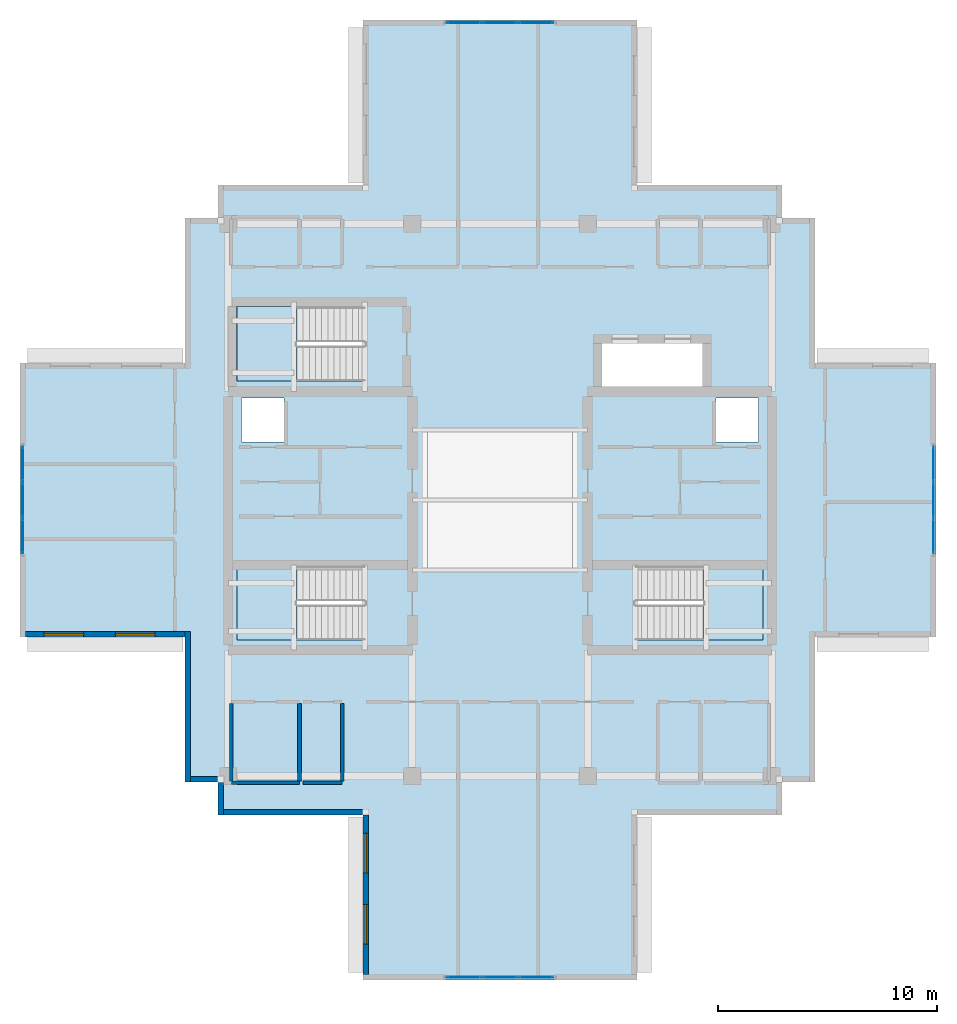
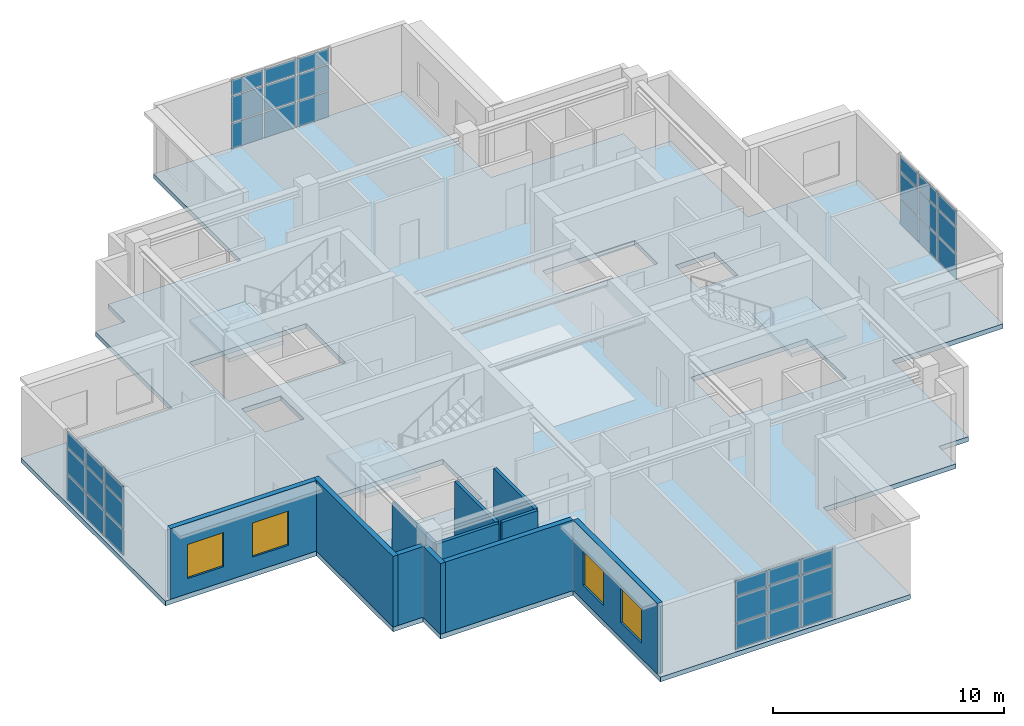
# One storey, part 9 of 16: 36 plates, 11 walls, 4 slabs, 4 windows, 4 openings, 7 elements without a shape of their own.
"""IFC4 building model written with IfcOpenShell, lengths in metres."""

import ifcopenshell
import ifcopenshell.guid

model = None  # the IFC model being written
_history = None  # IfcOwnerHistory: only IFC2X3 demands one
_inside = {}  # id of a spatial element -> (the spatial element, [elements in it])
_under = {}  # id of a project, library or spatial element -> (it, [spatial elements below it])
_declared = {}  # id of a project -> (the project, [libraries it declares])
_typed = {}  # id of a type object -> (the type object, [elements of that type])
_made_of = {}  # id of a material, layer set ... -> (it, [elements and type objects made of it])


def new_model(schema):
    """Start an empty IFC model of exactly this schema.

    Asked for "IFC4X3", IfcOpenShell would pick the latest addendum, in which some entities
    have other attributes; the version numbers below select the first issue.
    IFC2X3 requires an IfcOwnerHistory on every rooted entity: one is made here for all.
    """
    global model, _history
    if schema == "IFC4X3":
        model = ifcopenshell.file(schema_version=(4, 3, 0, 0))
    else:
        model = ifcopenshell.file(schema=schema)
    _inside.clear()
    _under.clear()
    _declared.clear()
    _typed.clear()
    _made_of.clear()
    _history = None
    if model.schema == "IFC2X3":
        org = make("IfcOrganization", Name="unknown")
        user = make(
            "IfcPersonAndOrganization",
            ThePerson=make("IfcPerson", FamilyName="unknown"),
            TheOrganization=org,
        )
        app = make(
            "IfcApplication",
            ApplicationDeveloper=org,
            Version="unknown",
            ApplicationFullName="unknown",
            ApplicationIdentifier="unknown",
        )
        _history = make(
            "IfcOwnerHistory",
            OwningUser=user,
            OwningApplication=app,
            ChangeAction="ADDED",
            CreationDate=0,
        )
    return model


def make(cls, **values):
    """One entity of the class cls with the attributes given. An attribute that is None is left unset."""
    return model.create_entity(
        cls, **{name: value for name, value in values.items() if value is not None}
    )


def rooted(cls, **values):
    """An entity with a GlobalId (a new one), such as an element, a storey or a relation."""
    return make(cls, GlobalId=ifcopenshell.guid.new(), OwnerHistory=_history, **values)


def si_unit(unit_type, name, prefix=None):
    """IfcSIUnit, for example si_unit("LENGTHUNIT", "METRE", prefix="MILLI")."""
    return make("IfcSIUnit", UnitType=unit_type, Prefix=prefix, Name=name)


def assignment(units):
    """IfcUnitAssignment: the units of a project."""
    return None if units is None else make("IfcUnitAssignment", Units=units)


def point(xyz):
    """IfcCartesianPoint."""
    return None if xyz is None else make("IfcCartesianPoint", Coordinates=xyz)


def direction(xyz):
    """IfcDirection."""
    return None if xyz is None else make("IfcDirection", DirectionRatios=xyz)


def frame(location, z_axis=None, x_axis=None):
    """IfcAxis2Placement3D, a coordinate frame: its origin and axes. An axis left out is left unset."""
    return make(
        "IfcAxis2Placement3D",
        Location=point(location),
        Axis=direction(z_axis),
        RefDirection=direction(x_axis),
    )


def frame_2d(location, x_axis=None):
    """IfcAxis2Placement2D, a coordinate frame in the plane: its origin and x axis."""
    return make(
        "IfcAxis2Placement2D", Location=point(location), RefDirection=direction(x_axis)
    )


def origin():
    """The frame at (0, 0, 0) with its axes left unset."""
    return frame((0.0, 0.0, 0.0))


def origin_2d():
    """The frame at (0, 0) in the plane with its x axis left unset."""
    return frame_2d((0.0, 0.0))


def place(relative_to, where):
    """IfcLocalPlacement: puts the frame where relative to a parent placement (None: the world)."""
    return make(
        "IfcLocalPlacement", PlacementRelTo=relative_to, RelativePlacement=where
    )


def context(
    kind, dimensions, precision=None, world=None, true_north=None, identifier=None
):
    """IfcGeometricRepresentationContext, for example the 3D "Model" context."""
    return make(
        "IfcGeometricRepresentationContext",
        ContextIdentifier=identifier,
        ContextType=kind,
        CoordinateSpaceDimension=dimensions,
        Precision=precision,
        WorldCoordinateSystem=world,
        TrueNorth=true_north,
    )


def subcontext(parent, identifier, kind, view, scale=None):
    """IfcGeometricRepresentationSubContext, for example "Body" below "Model"."""
    return make(
        "IfcGeometricRepresentationSubContext",
        ContextIdentifier=identifier,
        ContextType=kind,
        ParentContext=parent,
        TargetScale=scale,
        TargetView=view,
    )


def project(units=None, contexts=None):
    """IfcProject with its units and contexts."""
    return rooted(
        "IfcProject",
        Name="project",
        RepresentationContexts=contexts,
        UnitsInContext=assignment(units),
    )


def spatial(cls, under=None, at=None, **own):
    """A site, building, storey or space (cls), placed at a placement, below another one or the project."""
    s = rooted(cls, ObjectPlacement=at, **own)
    if under is not None:
        _under.setdefault(under.id(), (under, []))[1].append(s)
    return s


def polyline(points):
    """IfcPolyline through the points."""
    return make("IfcPolyline", Points=[point(p) for p in points])


def profile(cls, at=None, kind="AREA", **sizes):
    """A parametric profile (cls). Its sizes go by their IFC names, for example OverallWidth=200.0."""
    return make(cls, ProfileType=kind, Position=at, **sizes)


def rectangle(**sizes):
    """IfcRectangleProfileDef."""
    return profile("IfcRectangleProfileDef", **sizes)


def outline(outer, holes=None, kind="AREA"):
    """IfcArbitraryClosedProfileDef: a profile drawn as a closed curve; with holes, ...WithVoids."""
    if holes is None:
        return make("IfcArbitraryClosedProfileDef", ProfileType=kind, OuterCurve=outer)
    return make(
        "IfcArbitraryProfileDefWithVoids",
        ProfileType=kind,
        OuterCurve=outer,
        InnerCurves=holes,
    )


def extrude(swept, where, along, depth):
    """IfcExtrudedAreaSolid: the profile swept, set in the frame where, extruded along a direction by depth."""
    return make(
        "IfcExtrudedAreaSolid",
        SweptArea=swept,
        Position=where,
        ExtrudedDirection=direction(along),
        Depth=depth,
    )


def shape(context_of_items, identifier, shape_type, items):
    """IfcShapeRepresentation: the items that make up one representation, for example the "Body"."""
    return make(
        "IfcShapeRepresentation",
        ContextOfItems=context_of_items,
        RepresentationIdentifier=identifier,
        RepresentationType=shape_type,
        Items=items,
    )


def material(Name=None, Category=None):
    """IfcMaterial."""
    return make("IfcMaterial", Name=Name, Category=Category)


def layer(
    of_material, thickness, ventilated=None, Name=None, Category=None, Priority=None
):
    """IfcMaterialLayer: one layer of a wall or slab, of a material (None: an air gap)."""
    return make(
        "IfcMaterialLayer",
        Material=of_material,
        LayerThickness=thickness,
        IsVentilated=ventilated,
        Name=Name,
        Category=Category,
        Priority=Priority,
    )


def layer_set(layers, Name=None):
    """IfcMaterialLayerSet."""
    return make("IfcMaterialLayerSet", MaterialLayers=layers, LayerSetName=Name)


def made_of(thing, what):
    """Note that an element or type object is made of a material, layer set ...; save() writes the relation."""
    if what is not None:
        _made_of.setdefault(what.id(), (what, []))[1].append(thing)
    return thing


def type_object(cls, material=None, **own):
    """A type object (cls), such as IfcWallType, which elements share."""
    return made_of(rooted(cls, **own), material)


def element(
    cls,
    number,
    at=None,
    inside=None,
    cuts=None,
    type_object=None,
    material=None,
    context=None,
    identifier="Body",
    shape_type=None,
    held_by="IfcProductDefinitionShape",
    body=None,
    shapes=None,
    **own,
):
    """One element of the class cls, such as IfcWall. Its Tag is "e" and its number.

    at: its placement. inside: the storey or other place that contains it. cuts: it is an
    opening in that element (IfcRelVoidsElement). A single representation is given by context,
    identifier, shape_type and body (its items); several are given by shapes. held_by: the class
    of the entity that holds the representations. save() writes the other relations.
    """
    e = rooted(cls, Tag="e%d" % number, ObjectPlacement=at, **own)
    if body is not None:
        shapes = [shape(context, identifier, shape_type, body)]
    if shapes is not None:
        e.Representation = make(held_by, Representations=shapes)
    if inside is not None:
        _inside.setdefault(inside.id(), (inside, []))[1].append(e)
    if cuts is not None:
        rooted(
            "IfcRelVoidsElement", RelatingBuildingElement=cuts, RelatedOpeningElement=e
        )
    if type_object is not None:
        _typed.setdefault(type_object.id(), (type_object, []))[1].append(e)
    return made_of(e, material)


def fill(opening, filler):
    """IfcRelFillsElement: the door or window that sits in an opening."""
    return rooted(
        "IfcRelFillsElement",
        RelatingOpeningElement=opening,
        RelatedBuildingElement=filler,
    )


def aggregate(whole, parts):
    """IfcRelAggregates: a whole, such as a stair, and the parts it consists of."""
    return rooted("IfcRelAggregates", RelatingObject=whole, RelatedObjects=parts)


def save(model, path):
    """Write the relations noted so far, then the file.

    IfcRelAggregates (storeys below a building ...), IfcRelContainedInSpatialStructure (elements
    in a storey), IfcRelDefinesByType, IfcRelAssociatesMaterial and IfcRelDeclares: one each for
    every whole, place, type object, material and project.
    """
    for whole, parts in _under.values():
        aggregate(whole, parts)
    for where, things in _inside.values():
        rooted(
            "IfcRelContainedInSpatialStructure",
            RelatedElements=things,
            RelatingStructure=where,
        )
    for kind, things in _typed.values():
        rooted("IfcRelDefinesByType", RelatedObjects=things, RelatingType=kind)
    for what, things in _made_of.values():
        rooted("IfcRelAssociatesMaterial", RelatedObjects=things, RelatingMaterial=what)
    for by, libraries in _declared.values():
        rooted("IfcRelDeclares", RelatingContext=by, RelatedDefinitions=libraries)
    model.write(path)


model = new_model("IFC4")

# Units and contexts
model_context = context("Model", 3, precision=1e-05, world=origin(), true_north=direction((0.0, 1.0)))
body_context = subcontext(model_context, "Body", "Model", "MODEL_VIEW")
ifc_project = project(units=[si_unit("LENGTHUNIT", "METRE"), si_unit("AREAUNIT", "SQUARE_METRE"), si_unit("VOLUMEUNIT", "CUBIC_METRE"), si_unit("PLANEANGLEUNIT", "RADIAN"), si_unit("MASSUNIT", "GRAM", prefix="KILO")], contexts=[model_context])

# Site, building, storey
site_placement = place(None, origin())
site = spatial("IfcSite", under=ifc_project, at=site_placement, CompositionType="ELEMENT")
building_placement = place(site_placement, origin())
building = spatial("IfcBuilding", under=site, at=building_placement, Name="Qingluan Cross Belvedere", CompositionType="ELEMENT")
storey_placement = place(building_placement, frame((0.0, 0.0, 308.39990234375)))
storey = spatial("IfcBuildingStorey", under=building, at=storey_placement, Name="L76", CompositionType="ELEMENT", Elevation=308.39990234375)

# Curtain wall, plates
ifc_material_1 = material(Name="Thermally broken aluminium and Low-E glass", Category="aluminium")
ifc_layer_1 = layer(ifc_material_1, 0.199951171875, Name="ObservationCW_SkyRestaurant")
ifc_layer_set_1 = layer_set([ifc_layer_1], Name="Thermally broken aluminium and Low-E glass")
curtain_wall_type = type_object("IfcCurtainWallType", Name="ObservationCW_SkyRestaurant", PredefinedType="USERDEFINED", material=ifc_layer_set_1)
curtain_wall_1_placement = place(storey_placement, origin())
curtain_wall_1 = element("IfcCurtainWall", 1, at=curtain_wall_1_placement, inside=storey, type_object=curtain_wall_type, Name="ObservationCW_SkyRestaurant run env:cw:L76:E", ObjectType="OBSERVATION GLAZING WALL", PredefinedType="USERDEFINED")
ifc_material_2 = material(Name="Triple-silver Low-E insulated glass", Category="glass")
ifc_layer_2 = layer(ifc_material_2, 0.035888671875, Name="CWVisionPanel_36")
ifc_layer_set_2 = layer_set([ifc_layer_2], Name="Triple-silver Low-E insulated glass")
plate_type = type_object("IfcPlateType", Name="CWVisionPanel_36", PredefinedType="CURTAIN_PANEL", material=ifc_layer_set_2)
plate_1_placement = place(storey_placement, frame((19.780029296875, -1.650390625, 0.06005859375), z_axis=(0.0, 0.0, 1.0), x_axis=(0.0, 1.0, 0.0)))
plate_1 = element("IfcPlate", 2, at=plate_1_placement, type_object=plate_type, Name="CW-C2 panel 1.1", PredefinedType="CURTAIN_PANEL", context=body_context, shape_type="SweptSolid", body=[
    extrude(rectangle(XDim=1.575439453125, YDim=0.028076171875, at=origin_2d()), origin(), (0.0, 0.0, 1.0), 1.326904296875),
])
plate_2_placement = place(storey_placement, frame((19.780029296875, -1.650390625, 1.447021484375), z_axis=(0.0, 0.0, 1.0), x_axis=(0.0, 1.0, 0.0)))
plate_2 = element("IfcPlate", 3, at=plate_2_placement, type_object=plate_type, Name="CW-C2 panel 1.2", PredefinedType="CURTAIN_PANEL", context=body_context, shape_type="SweptSolid", body=[
    extrude(rectangle(XDim=1.575439453125, YDim=0.028076171875, at=origin_2d()), origin(), (0.0, 0.0, 1.0), 1.35791015625),
])
plate_3_placement = place(storey_placement, frame((19.780029296875, -1.650390625, 2.865234375), z_axis=(0.0, 0.0, 1.0), x_axis=(0.0, 1.0, 0.0)))
plate_3 = element("IfcPlate", 4, at=plate_3_placement, type_object=plate_type, Name="CW-C2 panel 1.3", PredefinedType="CURTAIN_PANEL", context=body_context, shape_type="SweptSolid", body=[
    extrude(rectangle(XDim=1.575439453125, YDim=0.028076171875, at=origin_2d()), origin(), (0.0, 0.0, 1.0), 0.804931640625),
])
plate_4_placement = place(storey_placement, frame((19.780029296875, 0.0, 0.06005859375), z_axis=(0.0, 0.0, 1.0), x_axis=(0.0, 1.0, 0.0)))
plate_4 = element("IfcPlate", 5, at=plate_4_placement, type_object=plate_type, Name="CW-C2 panel 2.1", PredefinedType="CURTAIN_PANEL", context=body_context, shape_type="SweptSolid", body=[
    extrude(rectangle(XDim=1.605224609375, YDim=0.028076171875, at=origin_2d()), origin(), (0.0, 0.0, 1.0), 1.326904296875),
])
plate_5_placement = place(storey_placement, frame((19.780029296875, 0.0, 1.447021484375), z_axis=(0.0, 0.0, 1.0), x_axis=(0.0, 1.0, 0.0)))
plate_5 = element("IfcPlate", 6, at=plate_5_placement, type_object=plate_type, Name="CW-C2 panel 2.2", PredefinedType="CURTAIN_PANEL", context=body_context, shape_type="SweptSolid", body=[
    extrude(rectangle(XDim=1.605224609375, YDim=0.028076171875, at=origin_2d()), origin(), (0.0, 0.0, 1.0), 1.35791015625),
])
plate_6_placement = place(storey_placement, frame((19.780029296875, 0.0, 2.865234375), z_axis=(0.0, 0.0, 1.0), x_axis=(0.0, 1.0, 0.0)))
plate_6 = element("IfcPlate", 7, at=plate_6_placement, type_object=plate_type, Name="CW-C2 panel 2.3", PredefinedType="CURTAIN_PANEL", context=body_context, shape_type="SweptSolid", body=[
    extrude(rectangle(XDim=1.605224609375, YDim=0.028076171875, at=origin_2d()), origin(), (0.0, 0.0, 1.0), 0.804931640625),
])
plate_7_placement = place(storey_placement, frame((19.780029296875, 1.650390625, 0.06005859375), z_axis=(0.0, 0.0, 1.0), x_axis=(0.0, 1.0, 0.0)))
plate_7 = element("IfcPlate", 8, at=plate_7_placement, type_object=plate_type, Name="CW-C2 panel 3.1", PredefinedType="CURTAIN_PANEL", context=body_context, shape_type="SweptSolid", body=[
    extrude(rectangle(XDim=1.575439453125, YDim=0.028076171875, at=origin_2d()), origin(), (0.0, 0.0, 1.0), 1.326904296875),
])
plate_8_placement = place(storey_placement, frame((19.780029296875, 1.650390625, 1.447021484375), z_axis=(0.0, 0.0, 1.0), x_axis=(0.0, 1.0, 0.0)))
plate_8 = element("IfcPlate", 9, at=plate_8_placement, type_object=plate_type, Name="CW-C2 panel 3.2", PredefinedType="CURTAIN_PANEL", context=body_context, shape_type="SweptSolid", body=[
    extrude(rectangle(XDim=1.575439453125, YDim=0.028076171875, at=origin_2d()), origin(), (0.0, 0.0, 1.0), 1.35791015625),
])
plate_9_placement = place(storey_placement, frame((19.780029296875, 1.650390625, 2.865234375), z_axis=(0.0, 0.0, 1.0), x_axis=(0.0, 1.0, 0.0)))
plate_9 = element("IfcPlate", 10, at=plate_9_placement, type_object=plate_type, Name="CW-C2 panel 3.3", PredefinedType="CURTAIN_PANEL", context=body_context, shape_type="SweptSolid", body=[
    extrude(rectangle(XDim=1.575439453125, YDim=0.028076171875, at=origin_2d()), origin(), (0.0, 0.0, 1.0), 0.804931640625),
])
aggregate(curtain_wall_1, [plate_1, plate_2, plate_3, plate_4, plate_5, plate_6, plate_7, plate_8, plate_9])

curtain_wall_2_placement = place(storey_placement, origin())
curtain_wall_2 = element("IfcCurtainWall", 11, at=curtain_wall_2_placement, inside=storey, type_object=curtain_wall_type, Name="ObservationCW_SkyRestaurant run env:cw:L76:N", ObjectType="OBSERVATION GLAZING WALL", PredefinedType="USERDEFINED")
plate_10_placement = place(storey_placement, frame((1.650390625, 21.780029296875, 0.06005859375), z_axis=(0.0, 0.0, 1.0), x_axis=(-1.0, 0.0, 0.0)))
plate_10 = element("IfcPlate", 12, at=plate_10_placement, type_object=plate_type, Name="CW-C2 panel 1.1", PredefinedType="CURTAIN_PANEL", context=body_context, shape_type="SweptSolid", body=[
    extrude(rectangle(XDim=1.575439453125, YDim=0.028076171875, at=origin_2d()), origin(), (0.0, 0.0, 1.0), 1.326904296875),
])
plate_11_placement = place(storey_placement, frame((1.650390625, 21.780029296875, 1.447021484375), z_axis=(0.0, 0.0, 1.0), x_axis=(-1.0, 0.0, 0.0)))
plate_11 = element("IfcPlate", 13, at=plate_11_placement, type_object=plate_type, Name="CW-C2 panel 1.2", PredefinedType="CURTAIN_PANEL", context=body_context, shape_type="SweptSolid", body=[
    extrude(rectangle(XDim=1.575439453125, YDim=0.028076171875, at=origin_2d()), origin(), (0.0, 0.0, 1.0), 1.35791015625),
])
plate_12_placement = place(storey_placement, frame((1.650390625, 21.780029296875, 2.865234375), z_axis=(0.0, 0.0, 1.0), x_axis=(-1.0, 0.0, 0.0)))
plate_12 = element("IfcPlate", 14, at=plate_12_placement, type_object=plate_type, Name="CW-C2 panel 1.3", PredefinedType="CURTAIN_PANEL", context=body_context, shape_type="SweptSolid", body=[
    extrude(rectangle(XDim=1.575439453125, YDim=0.028076171875, at=origin_2d()), origin(), (0.0, 0.0, 1.0), 0.804931640625),
])
plate_13_placement = place(storey_placement, frame((0.0, 21.780029296875, 0.06005859375), z_axis=(0.0, 0.0, 1.0), x_axis=(-1.0, 0.0, 0.0)))
plate_13 = element("IfcPlate", 15, at=plate_13_placement, type_object=plate_type, Name="CW-C2 panel 2.1", PredefinedType="CURTAIN_PANEL", context=body_context, shape_type="SweptSolid", body=[
    extrude(rectangle(XDim=1.605224609375, YDim=0.028076171875, at=origin_2d()), origin(), (0.0, 0.0, 1.0), 1.326904296875),
])
plate_14_placement = place(storey_placement, frame((0.0, 21.780029296875, 1.447021484375), z_axis=(0.0, 0.0, 1.0), x_axis=(-1.0, 0.0, 0.0)))
plate_14 = element("IfcPlate", 16, at=plate_14_placement, type_object=plate_type, Name="CW-C2 panel 2.2", PredefinedType="CURTAIN_PANEL", context=body_context, shape_type="SweptSolid", body=[
    extrude(rectangle(XDim=1.605224609375, YDim=0.028076171875, at=origin_2d()), origin(), (0.0, 0.0, 1.0), 1.35791015625),
])
plate_15_placement = place(storey_placement, frame((0.0, 21.780029296875, 2.865234375), z_axis=(0.0, 0.0, 1.0), x_axis=(-1.0, 0.0, 0.0)))
plate_15 = element("IfcPlate", 17, at=plate_15_placement, type_object=plate_type, Name="CW-C2 panel 2.3", PredefinedType="CURTAIN_PANEL", context=body_context, shape_type="SweptSolid", body=[
    extrude(rectangle(XDim=1.605224609375, YDim=0.028076171875, at=origin_2d()), origin(), (0.0, 0.0, 1.0), 0.804931640625),
])
plate_16_placement = place(storey_placement, frame((-1.650390625, 21.780029296875, 0.06005859375), z_axis=(0.0, 0.0, 1.0), x_axis=(-1.0, 0.0, 0.0)))
plate_16 = element("IfcPlate", 18, at=plate_16_placement, type_object=plate_type, Name="CW-C2 panel 3.1", PredefinedType="CURTAIN_PANEL", context=body_context, shape_type="SweptSolid", body=[
    extrude(rectangle(XDim=1.575439453125, YDim=0.028076171875, at=origin_2d()), origin(), (0.0, 0.0, 1.0), 1.326904296875),
])
plate_17_placement = place(storey_placement, frame((-1.650390625, 21.780029296875, 1.447021484375), z_axis=(0.0, 0.0, 1.0), x_axis=(-1.0, 0.0, 0.0)))
plate_17 = element("IfcPlate", 19, at=plate_17_placement, type_object=plate_type, Name="CW-C2 panel 3.2", PredefinedType="CURTAIN_PANEL", context=body_context, shape_type="SweptSolid", body=[
    extrude(rectangle(XDim=1.575439453125, YDim=0.028076171875, at=origin_2d()), origin(), (0.0, 0.0, 1.0), 1.35791015625),
])
plate_18_placement = place(storey_placement, frame((-1.650390625, 21.780029296875, 2.865234375), z_axis=(0.0, 0.0, 1.0), x_axis=(-1.0, 0.0, 0.0)))
plate_18 = element("IfcPlate", 20, at=plate_18_placement, type_object=plate_type, Name="CW-C2 panel 3.3", PredefinedType="CURTAIN_PANEL", context=body_context, shape_type="SweptSolid", body=[
    extrude(rectangle(XDim=1.575439453125, YDim=0.028076171875, at=origin_2d()), origin(), (0.0, 0.0, 1.0), 0.804931640625),
])
aggregate(curtain_wall_2, [plate_10, plate_11, plate_12, plate_13, plate_14, plate_15, plate_16, plate_17, plate_18])

curtain_wall_3_placement = place(storey_placement, origin())
curtain_wall_3 = element("IfcCurtainWall", 21, at=curtain_wall_3_placement, inside=storey, type_object=curtain_wall_type, Name="ObservationCW_SkyRestaurant run env:cw:L76:W", ObjectType="OBSERVATION GLAZING WALL", PredefinedType="USERDEFINED")
plate_19_placement = place(storey_placement, frame((-21.780029296875, 1.650390625, 0.06005859375), z_axis=(0.0, 0.0, 1.0), x_axis=(0.0, -1.0, 0.0)))
plate_19 = element("IfcPlate", 22, at=plate_19_placement, type_object=plate_type, Name="CW-C2 panel 1.1", PredefinedType="CURTAIN_PANEL", context=body_context, shape_type="SweptSolid", body=[
    extrude(rectangle(XDim=1.575439453125, YDim=0.028076171875, at=origin_2d()), origin(), (0.0, 0.0, 1.0), 1.326904296875),
])
plate_20_placement = place(storey_placement, frame((-21.780029296875, 1.650390625, 1.447021484375), z_axis=(0.0, 0.0, 1.0), x_axis=(0.0, -1.0, 0.0)))
plate_20 = element("IfcPlate", 23, at=plate_20_placement, type_object=plate_type, Name="CW-C2 panel 1.2", PredefinedType="CURTAIN_PANEL", context=body_context, shape_type="SweptSolid", body=[
    extrude(rectangle(XDim=1.575439453125, YDim=0.028076171875, at=origin_2d()), origin(), (0.0, 0.0, 1.0), 1.35791015625),
])
plate_21_placement = place(storey_placement, frame((-21.780029296875, 1.650390625, 2.865234375), z_axis=(0.0, 0.0, 1.0), x_axis=(0.0, -1.0, 0.0)))
plate_21 = element("IfcPlate", 24, at=plate_21_placement, type_object=plate_type, Name="CW-C2 panel 1.3", PredefinedType="CURTAIN_PANEL", context=body_context, shape_type="SweptSolid", body=[
    extrude(rectangle(XDim=1.575439453125, YDim=0.028076171875, at=origin_2d()), origin(), (0.0, 0.0, 1.0), 0.804931640625),
])
plate_22_placement = place(storey_placement, frame((-21.780029296875, 0.0, 0.06005859375), z_axis=(0.0, 0.0, 1.0), x_axis=(0.0, -1.0, 0.0)))
plate_22 = element("IfcPlate", 25, at=plate_22_placement, type_object=plate_type, Name="CW-C2 panel 2.1", PredefinedType="CURTAIN_PANEL", context=body_context, shape_type="SweptSolid", body=[
    extrude(rectangle(XDim=1.605224609375, YDim=0.028076171875, at=origin_2d()), origin(), (0.0, 0.0, 1.0), 1.326904296875),
])
plate_23_placement = place(storey_placement, frame((-21.780029296875, 0.0, 1.447021484375), z_axis=(0.0, 0.0, 1.0), x_axis=(0.0, -1.0, 0.0)))
plate_23 = element("IfcPlate", 26, at=plate_23_placement, type_object=plate_type, Name="CW-C2 panel 2.2", PredefinedType="CURTAIN_PANEL", context=body_context, shape_type="SweptSolid", body=[
    extrude(rectangle(XDim=1.605224609375, YDim=0.028076171875, at=origin_2d()), origin(), (0.0, 0.0, 1.0), 1.35791015625),
])
plate_24_placement = place(storey_placement, frame((-21.780029296875, 0.0, 2.865234375), z_axis=(0.0, 0.0, 1.0), x_axis=(0.0, -1.0, 0.0)))
plate_24 = element("IfcPlate", 27, at=plate_24_placement, type_object=plate_type, Name="CW-C2 panel 2.3", PredefinedType="CURTAIN_PANEL", context=body_context, shape_type="SweptSolid", body=[
    extrude(rectangle(XDim=1.605224609375, YDim=0.028076171875, at=origin_2d()), origin(), (0.0, 0.0, 1.0), 0.804931640625),
])
plate_25_placement = place(storey_placement, frame((-21.780029296875, -1.650390625, 0.06005859375), z_axis=(0.0, 0.0, 1.0), x_axis=(0.0, -1.0, 0.0)))
plate_25 = element("IfcPlate", 28, at=plate_25_placement, type_object=plate_type, Name="CW-C2 panel 3.1", PredefinedType="CURTAIN_PANEL", context=body_context, shape_type="SweptSolid", body=[
    extrude(rectangle(XDim=1.575439453125, YDim=0.028076171875, at=origin_2d()), origin(), (0.0, 0.0, 1.0), 1.326904296875),
])
plate_26_placement = place(storey_placement, frame((-21.780029296875, -1.650390625, 1.447021484375), z_axis=(0.0, 0.0, 1.0), x_axis=(0.0, -1.0, 0.0)))
plate_26 = element("IfcPlate", 29, at=plate_26_placement, type_object=plate_type, Name="CW-C2 panel 3.2", PredefinedType="CURTAIN_PANEL", context=body_context, shape_type="SweptSolid", body=[
    extrude(rectangle(XDim=1.575439453125, YDim=0.028076171875, at=origin_2d()), origin(), (0.0, 0.0, 1.0), 1.35791015625),
])
plate_27_placement = place(storey_placement, frame((-21.780029296875, -1.650390625, 2.865234375), z_axis=(0.0, 0.0, 1.0), x_axis=(0.0, -1.0, 0.0)))
plate_27 = element("IfcPlate", 30, at=plate_27_placement, type_object=plate_type, Name="CW-C2 panel 3.3", PredefinedType="CURTAIN_PANEL", context=body_context, shape_type="SweptSolid", body=[
    extrude(rectangle(XDim=1.575439453125, YDim=0.028076171875, at=origin_2d()), origin(), (0.0, 0.0, 1.0), 0.804931640625),
])
aggregate(curtain_wall_3, [plate_19, plate_20, plate_21, plate_22, plate_23, plate_24, plate_25, plate_26, plate_27])

curtain_wall_4_placement = place(storey_placement, origin())
curtain_wall_4 = element("IfcCurtainWall", 31, at=curtain_wall_4_placement, inside=storey, type_object=curtain_wall_type, Name="ObservationCW_SkyRestaurant run env:cw:L76:S", ObjectType="OBSERVATION GLAZING WALL", PredefinedType="USERDEFINED")
plate_28_placement = place(storey_placement, frame((-1.650390625, -21.780029296875, 0.06005859375), z_axis=(0.0, 0.0, 1.0), x_axis=(1.0, 0.0, 0.0)))
plate_28 = element("IfcPlate", 32, at=plate_28_placement, type_object=plate_type, Name="CW-C2 panel 1.1", PredefinedType="CURTAIN_PANEL", context=body_context, shape_type="SweptSolid", body=[
    extrude(rectangle(XDim=1.575439453125, YDim=0.028076171875, at=origin_2d()), origin(), (0.0, 0.0, 1.0), 1.326904296875),
])
plate_29_placement = place(storey_placement, frame((-1.650390625, -21.780029296875, 1.447021484375), z_axis=(0.0, 0.0, 1.0), x_axis=(1.0, 0.0, 0.0)))
plate_29 = element("IfcPlate", 33, at=plate_29_placement, type_object=plate_type, Name="CW-C2 panel 1.2", PredefinedType="CURTAIN_PANEL", context=body_context, shape_type="SweptSolid", body=[
    extrude(rectangle(XDim=1.575439453125, YDim=0.028076171875, at=origin_2d()), origin(), (0.0, 0.0, 1.0), 1.35791015625),
])
plate_30_placement = place(storey_placement, frame((-1.650390625, -21.780029296875, 2.865234375), z_axis=(0.0, 0.0, 1.0), x_axis=(1.0, 0.0, 0.0)))
plate_30 = element("IfcPlate", 34, at=plate_30_placement, type_object=plate_type, Name="CW-C2 panel 1.3", PredefinedType="CURTAIN_PANEL", context=body_context, shape_type="SweptSolid", body=[
    extrude(rectangle(XDim=1.575439453125, YDim=0.028076171875, at=origin_2d()), origin(), (0.0, 0.0, 1.0), 0.804931640625),
])
plate_31_placement = place(storey_placement, frame((0.0, -21.780029296875, 0.06005859375), z_axis=(0.0, 0.0, 1.0), x_axis=(1.0, 0.0, 0.0)))
plate_31 = element("IfcPlate", 35, at=plate_31_placement, type_object=plate_type, Name="CW-C2 panel 2.1", PredefinedType="CURTAIN_PANEL", context=body_context, shape_type="SweptSolid", body=[
    extrude(rectangle(XDim=1.605224609375, YDim=0.028076171875, at=origin_2d()), origin(), (0.0, 0.0, 1.0), 1.326904296875),
])
plate_32_placement = place(storey_placement, frame((0.0, -21.780029296875, 1.447021484375), z_axis=(0.0, 0.0, 1.0), x_axis=(1.0, 0.0, 0.0)))
plate_32 = element("IfcPlate", 36, at=plate_32_placement, type_object=plate_type, Name="CW-C2 panel 2.2", PredefinedType="CURTAIN_PANEL", context=body_context, shape_type="SweptSolid", body=[
    extrude(rectangle(XDim=1.605224609375, YDim=0.028076171875, at=origin_2d()), origin(), (0.0, 0.0, 1.0), 1.35791015625),
])
plate_33_placement = place(storey_placement, frame((0.0, -21.780029296875, 2.865234375), z_axis=(0.0, 0.0, 1.0), x_axis=(1.0, 0.0, 0.0)))
plate_33 = element("IfcPlate", 37, at=plate_33_placement, type_object=plate_type, Name="CW-C2 panel 2.3", PredefinedType="CURTAIN_PANEL", context=body_context, shape_type="SweptSolid", body=[
    extrude(rectangle(XDim=1.605224609375, YDim=0.028076171875, at=origin_2d()), origin(), (0.0, 0.0, 1.0), 0.804931640625),
])
plate_34_placement = place(storey_placement, frame((1.650390625, -21.780029296875, 0.06005859375), z_axis=(0.0, 0.0, 1.0), x_axis=(1.0, 0.0, 0.0)))
plate_34 = element("IfcPlate", 38, at=plate_34_placement, type_object=plate_type, Name="CW-C2 panel 3.1", PredefinedType="CURTAIN_PANEL", context=body_context, shape_type="SweptSolid", body=[
    extrude(rectangle(XDim=1.575439453125, YDim=0.028076171875, at=origin_2d()), origin(), (0.0, 0.0, 1.0), 1.326904296875),
])
plate_35_placement = place(storey_placement, frame((1.650390625, -21.780029296875, 1.447021484375), z_axis=(0.0, 0.0, 1.0), x_axis=(1.0, 0.0, 0.0)))
plate_35 = element("IfcPlate", 39, at=plate_35_placement, type_object=plate_type, Name="CW-C2 panel 3.2", PredefinedType="CURTAIN_PANEL", context=body_context, shape_type="SweptSolid", body=[
    extrude(rectangle(XDim=1.575439453125, YDim=0.028076171875, at=origin_2d()), origin(), (0.0, 0.0, 1.0), 1.35791015625),
])
plate_36_placement = place(storey_placement, frame((1.650390625, -21.780029296875, 2.865234375), z_axis=(0.0, 0.0, 1.0), x_axis=(1.0, 0.0, 0.0)))
plate_36 = element("IfcPlate", 40, at=plate_36_placement, type_object=plate_type, Name="CW-C2 panel 3.3", PredefinedType="CURTAIN_PANEL", context=body_context, shape_type="SweptSolid", body=[
    extrude(rectangle(XDim=1.575439453125, YDim=0.028076171875, at=origin_2d()), origin(), (0.0, 0.0, 1.0), 0.804931640625),
])
aggregate(curtain_wall_4, [plate_28, plate_29, plate_30, plate_31, plate_32, plate_33, plate_34, plate_35, plate_36])

# Slab
ifc_material_3 = material(Name="Concrete C40", Category="concrete")
ifc_layer_3 = layer(ifc_material_3, 0.25, Name="FloorSlab_250")
ifc_layer_set_3 = layer_set([ifc_layer_3], Name="Concrete C40")
slab_type_1 = type_object("IfcSlabType", Name="FloorSlab_250", PredefinedType="FLOOR", material=ifc_layer_set_3)
slab_1_placement = place(storey_placement, frame((0.0, 0.0, -0.25)))
element("IfcSlab", 41, at=slab_1_placement, inside=storey, type_object=slab_type_1, Name="Structural floor slab L76", PredefinedType="FLOOR", context=body_context, shape_type="SweptSolid", body=[
    extrude(outline(polyline([(6.2451171875, -21.905029296875), (6.2451171875, -14.364990234375), (12.864990234375, -14.364990234375), (12.864990234375, -12.864990234375), (14.364990234375, -12.864990234375), (14.364990234375, -6.2451171875), (19.905029296875, -6.2451171875), (19.905029296875, 6.2451171875), (14.364990234375, 6.2451171875), (14.364990234375, 12.864990234375), (12.864990234375, 12.864990234375), (12.864990234375, 14.364990234375), (6.2451171875, 14.364990234375), (6.2451171875, 21.905029296875), (-6.2451171875, 21.905029296875), (-6.2451171875, 14.364990234375), (-12.864990234375, 14.364990234375), (-12.864990234375, 12.864990234375), (-14.364990234375, 12.864990234375), (-14.364990234375, 6.2451171875), (-21.905029296875, 6.2451171875), (-21.905029296875, -6.2451171875), (-14.364990234375, -6.2451171875), (-14.364990234375, -12.864990234375), (-12.864990234375, -12.864990234375), (-12.864990234375, -14.364990234375), (-6.2451171875, -14.364990234375), (-6.2451171875, -21.905029296875), (6.2451171875, -21.905029296875)]), holes=[polyline([(-12.0, -3.0), (-6.179931640625, -3.0), (-6.179931640625, -6.39990234375), (-12.0, -6.39990234375), (-12.0, -3.0)]), polyline([(6.179931640625, -3.0), (12.0, -3.0), (12.0, -6.39990234375), (6.179931640625, -6.39990234375), (6.179931640625, -3.0)]), polyline([(-12.0, 8.820068359375), (-6.179931640625, 8.820068359375), (-6.179931640625, 5.419921875), (-12.0, 5.419921875), (-12.0, 8.820068359375)]), polyline([(-11.800048828125, 4.64990234375), (-9.85009765625, 4.64990234375), (-9.85009765625, 2.64990234375), (-11.800048828125, 2.64990234375), (-11.800048828125, 4.64990234375)]), polyline([(9.85009765625, 4.64990234375), (11.800048828125, 4.64990234375), (11.800048828125, 2.64990234375), (9.85009765625, 2.64990234375), (9.85009765625, 4.64990234375)]), polyline([(4.64990234375, 7.14990234375), (9.25, 7.14990234375), (9.25, 5.14990234375), (4.64990234375, 5.14990234375), (4.64990234375, 7.14990234375)])]), origin(), (0.0, 0.0, 1.0), 0.25),
])

# Stair, slab
ifc_material_4 = material(Name="Concrete C40", Category="concrete")
stair_type = type_object("IfcStairType", Name="CoreDoglegStair_1620", PredefinedType="HALF_TURN_STAIR", material=ifc_material_4)
stair_1_placement = place(storey_placement, origin())
stair_1 = element("IfcStair", 42, at=stair_1_placement, inside=storey, type_object=stair_type, Name="L76 ST1", PredefinedType="HALF_TURN_STAIR")
ifc_material_5 = material(Name="Concrete C40", Category="concrete")
ifc_layer_4 = layer(ifc_material_5, 0.179931640625, Name="StairLandingSlab_180")
ifc_layer_set_4 = layer_set([ifc_layer_4], Name="Concrete C40")
slab_type_2 = type_object("IfcSlabType", Name="StairLandingSlab_180", PredefinedType="LANDING", material=ifc_layer_set_4)
slab_2_placement = place(storey_placement, frame((0.0, 0.0, 2.050048828125)))
slab_2 = element("IfcSlab", 43, at=slab_2_placement, type_object=slab_type_2, Name="ST1 landing 1", PredefinedType="LANDING", context=body_context, shape_type="SweptSolid", body=[
    extrude(outline(polyline([(-9.260009765625, -3.0), (-12.0, -3.0), (-12.0, -6.39990234375), (-9.260009765625, -6.39990234375), (-9.260009765625, -3.0)])), origin(), (0.0, 0.0, 1.0), 0.199951171875),
])
aggregate(stair_1, [slab_2])

stair_2_placement = place(storey_placement, origin())
stair_2 = element("IfcStair", 44, at=stair_2_placement, inside=storey, type_object=stair_type, Name="L76 ST2", PredefinedType="HALF_TURN_STAIR")
slab_3_placement = place(storey_placement, frame((0.0, 0.0, 2.050048828125)))
slab_3 = element("IfcSlab", 45, at=slab_3_placement, type_object=slab_type_2, Name="ST2 landing 1", PredefinedType="LANDING", context=body_context, shape_type="SweptSolid", body=[
    extrude(outline(polyline([(9.260009765625, -6.39990234375), (12.0, -6.39990234375), (12.0, -3.0), (9.260009765625, -3.0), (9.260009765625, -6.39990234375)])), origin(), (0.0, 0.0, 1.0), 0.199951171875),
])
aggregate(stair_2, [slab_3])

stair_3_placement = place(storey_placement, origin())
stair_3 = element("IfcStair", 46, at=stair_3_placement, inside=storey, type_object=stair_type, Name="L76 ST3", PredefinedType="HALF_TURN_STAIR")
slab_4_placement = place(storey_placement, frame((0.0, 0.0, 2.050048828125)))
slab_4 = element("IfcSlab", 47, at=slab_4_placement, type_object=slab_type_2, Name="ST3 landing 1", PredefinedType="LANDING", context=body_context, shape_type="SweptSolid", body=[
    extrude(outline(polyline([(-9.260009765625, 8.820068359375), (-12.0, 8.820068359375), (-12.0, 5.419921875), (-9.260009765625, 5.419921875), (-9.260009765625, 8.820068359375)])), origin(), (0.0, 0.0, 1.0), 0.199951171875),
])
aggregate(stair_3, [slab_4])

# Walls
ifc_material_6 = material(Name="Gypsum plasterboard on steel stud acoustic partition", Category="steel")
ifc_layer_5 = layer(ifc_material_6, 0.159912109375, Name="CorridorPartition_160")
ifc_layer_set_5 = layer_set([ifc_layer_5], Name="Gypsum plasterboard on steel stud acoustic partition")
wall_type_1 = type_object("IfcWallType", Name="CorridorPartition_160", PredefinedType="PARTITIONING", material=ifc_layer_set_5)
wall_1_placement = place(storey_placement, frame((-12.260009765625, -12.909912109375, 0.0), z_axis=(0.0, 0.0, 1.0), x_axis=(1.0, 0.0, 0.0)))
element("IfcWall", 48, at=wall_1_placement, inside=storey, type_object=wall_type_1, Name="Partition L76:crown_sw1:S", PredefinedType="PARTITIONING", context=body_context, shape_type="SweptSolid", body=[
    extrude(rectangle(XDim=3.110107421875, YDim=0.159912109375, at=frame_2d((1.55517578125, 0.0))), origin(), (0.0, 0.0, 1.0), 3.72021484375),
])
for number, where, z_axis, x_axis, name in (
    (49, (-12.260009765625, -12.824951171875, 0.0), (0.0, 0.0, 1.0), (0.0, 1.0, 0.0), "Partition L76:crown_sw1:W"),
    (50, (-9.14990234375, -12.824951171875, 0.0), (0.0, 0.0, 1.0), (0.0, 1.0, 0.0), "Partition L76:crown_sw1:E"),
):
    element("IfcWall", number, at=place(storey_placement, frame(where, z_axis=z_axis, x_axis=x_axis)), inside=storey, type_object=wall_type_1, Name=name, PredefinedType="PARTITIONING", context=body_context, shape_type="SweptSolid", body=[
        extrude(rectangle(XDim=3.5400390625, YDim=0.159912109375, at=frame_2d((1.77001953125, 0.0))), origin(), (0.0, 0.0, 1.0), 3.72021484375),
    ])
wall_2_placement = place(storey_placement, frame((-8.989990234375, -12.909912109375, 0.0), z_axis=(0.0, 0.0, 1.0), x_axis=(1.0, 0.0, 0.0)))
element("IfcWall", 51, at=wall_2_placement, inside=storey, type_object=wall_type_1, Name="Partition L76:crown_sw2:S", PredefinedType="PARTITIONING", context=body_context, shape_type="SweptSolid", body=[
    extrude(rectangle(XDim=1.7900390625, YDim=0.159912109375, at=frame_2d((0.89501953125, 0.0))), origin(), (0.0, 0.0, 1.0), 3.72021484375),
])
wall_3_placement = place(storey_placement, frame((-7.199951171875, -12.824951171875, 0.0), z_axis=(0.0, 0.0, 1.0), x_axis=(0.0, 1.0, 0.0)))
element("IfcWall", 52, at=wall_3_placement, inside=storey, type_object=wall_type_1, Name="Partition L76:crown_sw2:E", PredefinedType="PARTITIONING", context=body_context, shape_type="SweptSolid", body=[
    extrude(rectangle(XDim=3.5400390625, YDim=0.159912109375, at=frame_2d((1.77001953125, 0.0))), origin(), (0.0, 0.0, 1.0), 3.72021484375),
])

# Wall, openings, windows
ifc_material_7 = material(Name="Precast concrete C45", Category="concrete")
ifc_layer_6 = layer(ifc_material_7, 0.25, Name="PrecastCrownWall_250")
ifc_layer_set_6 = layer_set([ifc_layer_6], Name="Precast concrete C45")
wall_type_2 = type_object("IfcWallType", Name="PrecastCrownWall_250", PredefinedType="STANDARD", material=ifc_layer_set_6)
wall_4_placement = place(storey_placement, frame((-21.655029296875, -6.1201171875, 0.0), z_axis=(0.0, 0.0, 1.0), x_axis=(1.0, 0.0, 0.0)))
wall_4 = element("IfcWall", 53, at=wall_4_placement, inside=storey, type_object=wall_type_2, Name="Facade wall L76-WB", PredefinedType="STANDARD", context=body_context, shape_type="SweptSolid", body=[
    extrude(rectangle(XDim=7.2900390625, YDim=0.25, at=frame_2d((3.64501953125, 0.0))), origin(), (0.0, 0.0, 1.0), 3.72998046875),
])
opening_1_placement = place(wall_4_placement, frame((0.85009765625, 0.0, 0.800048828125)))
opening_1 = element("IfcOpeningElement", 54, at=opening_1_placement, cuts=wall_4, Name="Opening W-05", PredefinedType="OPENING", context=body_context, shape_type="SweptSolid", body=[
    extrude(rectangle(XDim=1.800048828125, YDim=1.800048828125, at=frame_2d((0.89990234375, 0.89990234375))), frame((0.0, 0.135009765625, 0.0), z_axis=(0.0, -1.0, 0.0), x_axis=(1.0, 0.0, 0.0)), (0.0, 0.0, 1.0), 0.27001953125),
])
opening_2_placement = place(wall_4_placement, frame((4.10009765625, 0.0, 0.800048828125)))
opening_2 = element("IfcOpeningElement", 55, at=opening_2_placement, cuts=wall_4, Name="Opening W-05", PredefinedType="OPENING", context=body_context, shape_type="SweptSolid", body=[
    extrude(rectangle(XDim=1.800048828125, YDim=1.800048828125, at=frame_2d((0.89990234375, 0.89990234375))), frame((0.0, 0.135009765625, 0.0), z_axis=(0.0, -1.0, 0.0), x_axis=(1.0, 0.0, 0.0)), (0.0, 0.0, 1.0), 0.27001953125),
])
ifc_material_8 = material(Name="Thermally broken triple Low-E glass in aluminium frame", Category="aluminium")
window_type = type_object("IfcWindowType", Name="CrownBelvedereWin_1800x1800", PartitioningType="SINGLE_PANEL", PredefinedType="WINDOW", material=ifc_material_8)
window_1_placement = place(opening_1_placement, origin())
window_1 = element("IfcWindow", 56, at=window_1_placement, inside=storey, type_object=window_type, Name="Ribbon window L76-WB-1", OverallHeight=1.800048828125, OverallWidth=1.800048828125, PartitioningType="SINGLE_PANEL", PredefinedType="WINDOW", context=body_context, shape_type="SweptSolid", body=[
    extrude(rectangle(XDim=1.800048828125, YDim=1.800048828125, at=frame_2d((0.89990234375, 0.89990234375))), frame((0.0, 0.030029296875, 0.0), z_axis=(0.0, -1.0, 0.0), x_axis=(1.0, 0.0, 0.0)), (0.0, 0.0, 1.0), 0.06005859375),
])
fill(opening_1, window_1)
window_2_placement = place(opening_2_placement, origin())
window_2 = element("IfcWindow", 57, at=window_2_placement, inside=storey, type_object=window_type, Name="Ribbon window L76-WB-2", OverallHeight=1.800048828125, OverallWidth=1.800048828125, PartitioningType="SINGLE_PANEL", PredefinedType="WINDOW", context=body_context, shape_type="SweptSolid", body=[
    extrude(rectangle(XDim=1.800048828125, YDim=1.800048828125, at=frame_2d((0.89990234375, 0.89990234375))), frame((0.0, 0.030029296875, 0.0), z_axis=(0.0, -1.0, 0.0), x_axis=(1.0, 0.0, 0.0)), (0.0, 0.0, 1.0), 0.06005859375),
])
fill(opening_2, window_2)

wall_5_placement = place(storey_placement, frame((-6.1201171875, -14.364990234375, 0.0), z_axis=(0.0, 0.0, 1.0), x_axis=(0.0, -1.0, 0.0)))
wall_5 = element("IfcWall", 58, at=wall_5_placement, inside=storey, type_object=wall_type_2, Name="Facade wall L76-SA", PredefinedType="STANDARD", context=body_context, shape_type="SweptSolid", body=[
    extrude(rectangle(XDim=7.2900390625, YDim=0.25, at=frame_2d((3.64501953125, 0.0))), origin(), (0.0, 0.0, 1.0), 3.72998046875),
])
opening_3_placement = place(wall_5_placement, frame((0.85009765625, 0.0, 0.800048828125)))
opening_3 = element("IfcOpeningElement", 59, at=opening_3_placement, cuts=wall_5, Name="Opening W-05", PredefinedType="OPENING", context=body_context, shape_type="SweptSolid", body=[
    extrude(rectangle(XDim=1.800048828125, YDim=1.800048828125, at=frame_2d((0.89990234375, 0.89990234375))), frame((0.0, 0.135009765625, 0.0), z_axis=(0.0, -1.0, 0.0), x_axis=(1.0, 0.0, 0.0)), (0.0, 0.0, 1.0), 0.27001953125),
])
opening_4_placement = place(wall_5_placement, frame((4.10009765625, 0.0, 0.800048828125)))
opening_4 = element("IfcOpeningElement", 60, at=opening_4_placement, cuts=wall_5, Name="Opening W-05", PredefinedType="OPENING", context=body_context, shape_type="SweptSolid", body=[
    extrude(rectangle(XDim=1.800048828125, YDim=1.800048828125, at=frame_2d((0.89990234375, 0.89990234375))), frame((0.0, 0.135009765625, 0.0), z_axis=(0.0, -1.0, 0.0), x_axis=(1.0, 0.0, 0.0)), (0.0, 0.0, 1.0), 0.27001953125),
])
window_3_placement = place(opening_3_placement, origin())
window_3 = element("IfcWindow", 61, at=window_3_placement, inside=storey, type_object=window_type, Name="Ribbon window L76-SA-1", OverallHeight=1.800048828125, OverallWidth=1.800048828125, PartitioningType="SINGLE_PANEL", PredefinedType="WINDOW", context=body_context, shape_type="SweptSolid", body=[
    extrude(rectangle(XDim=1.800048828125, YDim=1.800048828125, at=frame_2d((0.89990234375, 0.89990234375))), frame((0.0, 0.030029296875, 0.0), z_axis=(0.0, -1.0, 0.0), x_axis=(1.0, 0.0, 0.0)), (0.0, 0.0, 1.0), 0.06005859375),
])
fill(opening_3, window_3)
window_4_placement = place(opening_4_placement, origin())
window_4 = element("IfcWindow", 62, at=window_4_placement, inside=storey, type_object=window_type, Name="Ribbon window L76-SA-2", OverallHeight=1.800048828125, OverallWidth=1.800048828125, PartitioningType="SINGLE_PANEL", PredefinedType="WINDOW", context=body_context, shape_type="SweptSolid", body=[
    extrude(rectangle(XDim=1.800048828125, YDim=1.800048828125, at=frame_2d((0.89990234375, 0.89990234375))), frame((0.0, 0.030029296875, 0.0), z_axis=(0.0, -1.0, 0.0), x_axis=(1.0, 0.0, 0.0)), (0.0, 0.0, 1.0), 0.06005859375),
])
fill(opening_4, window_4)

# Walls
wall_6_placement = place(storey_placement, frame((-14.239990234375, -5.9951171875, 0.0), z_axis=(0.0, 0.0, 1.0), x_axis=(0.0, -1.0, 0.0)))
element("IfcWall", 63, at=wall_6_placement, inside=storey, type_object=wall_type_2, Name="Corner wall L76-SW1", PredefinedType="STANDARD", context=body_context, shape_type="SweptSolid", body=[
    extrude(rectangle(XDim=6.869873046875, YDim=0.25, at=frame_2d((3.43505859375, 0.0))), origin(), (0.0, 0.0, 1.0), 3.72998046875),
])
wall_7_placement = place(storey_placement, frame((-14.114990234375, -12.739990234375, 0.0), z_axis=(0.0, 0.0, 1.0), x_axis=(1.0, 0.0, 0.0)))
element("IfcWall", 64, at=wall_7_placement, inside=storey, type_object=wall_type_2, Name="Corner wall L76-SW2", PredefinedType="STANDARD", context=body_context, shape_type="SweptSolid", body=[
    extrude(rectangle(XDim=1.25, YDim=0.25, at=frame_2d((0.625, 0.0))), origin(), (0.0, 0.0, 1.0), 3.72998046875),
])
wall_8_placement = place(storey_placement, frame((-12.739990234375, -12.864990234375, 0.0), z_axis=(0.0, 0.0, 1.0), x_axis=(0.0, -1.0, 0.0)))
element("IfcWall", 65, at=wall_8_placement, inside=storey, type_object=wall_type_2, Name="Corner wall L76-SW3", PredefinedType="STANDARD", context=body_context, shape_type="SweptSolid", body=[
    extrude(rectangle(XDim=1.5, YDim=0.25, at=frame_2d((0.75, 0.0))), origin(), (0.0, 0.0, 1.0), 3.72998046875),
])
wall_9_placement = place(storey_placement, frame((-12.614990234375, -14.239990234375, 0.0), z_axis=(0.0, 0.0, 1.0), x_axis=(1.0, 0.0, 0.0)))
element("IfcWall", 66, at=wall_9_placement, inside=storey, type_object=wall_type_2, Name="Corner wall L76-SW4", PredefinedType="STANDARD", context=body_context, shape_type="SweptSolid", body=[
    extrude(rectangle(XDim=6.369873046875, YDim=0.25, at=frame_2d((3.18505859375, 0.0))), origin(), (0.0, 0.0, 1.0), 3.72998046875),
])

save(model, "model.ifc")
